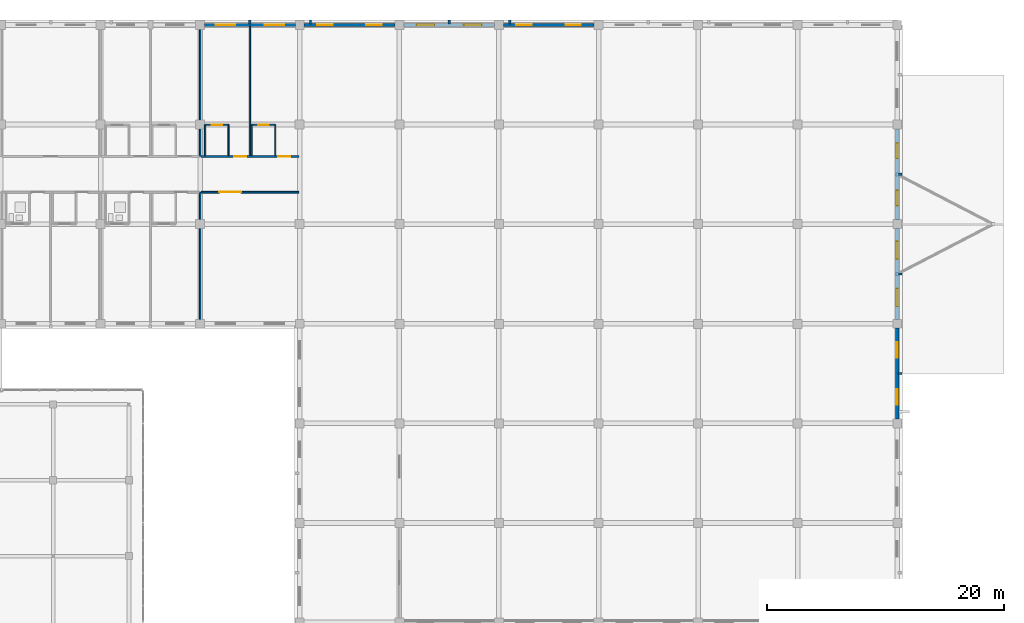
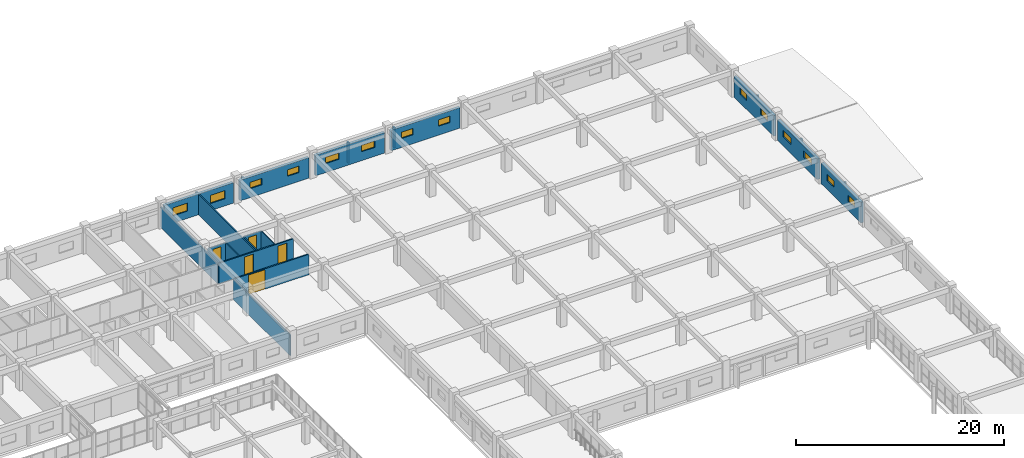
# One storey, part 184 of 200: 25 walls, 14 windows, 5 doors, 19 openings.
"""IFC4 building model written with IfcOpenShell, lengths in metres."""

from ifc_helpers import new_model, si_unit, direction, frame, frame_2d, origin, place, context, subcontext, project, spatial, rectangle, extrude, material, layer, layer_set, type_object, element, fill, save


model = new_model("IFC4")

# Units and contexts
model_context = context("Model", 3, precision=1e-05, world=origin(), true_north=direction((0.0, 1.0)))
body_context = subcontext(model_context, "Body", "Model", "MODEL_VIEW")
ifc_project = project(units=[si_unit("LENGTHUNIT", "METRE"), si_unit("AREAUNIT", "SQUARE_METRE"), si_unit("VOLUMEUNIT", "CUBIC_METRE"), si_unit("PLANEANGLEUNIT", "RADIAN"), si_unit("MASSUNIT", "GRAM", prefix="KILO")], contexts=[model_context])

# Site, building, storey
site_placement = place(None, origin())
site = spatial("IfcSite", under=ifc_project, at=site_placement, CompositionType="ELEMENT")
building_placement = place(site_placement, origin())
building = spatial("IfcBuilding", under=site, at=building_placement, Name="Trelvath General Hospital", CompositionType="ELEMENT")
storey_placement = place(building_placement, frame((0.0, 0.0, 4.800048828125)))
storey = spatial("IfcBuildingStorey", under=building, at=storey_placement, Name="L01", CompositionType="ELEMENT", Elevation=4.800048828125)

# Walls
ifc_material_1 = material(Name="Precast concrete C40/50", Category="concrete")
ifc_layer_1 = layer(ifc_material_1, 0.199951171875)
ifc_layer_set_1 = layer_set([ifc_layer_1], Name="Precast concrete C40/50")
wall_type_1 = type_object("IfcWallType", Name="BriseSoleilRib 200", PredefinedType="ELEMENTEDWALL", material=ifc_layer_set_1)
for number, where, z_axis, x_axis, name in (
    (1, (130.199951171875, 117.675048828125, 0.0), (0.0, 0.0, 1.0), (0.0, 1.0, 0.0), "Precast Concrete Brise-Soleil Rib Fin L01-129"),
    (2, (135.30615234375, 117.675048828125, 0.0), (0.0, 0.0, 1.0), (0.0, 1.0, 0.0), "Precast Concrete Brise-Soleil Rib Fin L01-132"),
    (3, (147.0, 117.675048828125, 0.0), (0.0, 0.0, 1.0), (0.0, 1.0, 0.0), "Precast Concrete Brise-Soleil Rib Fin L01-134"),
    (4, (152.106201171875, 117.675048828125, 0.0), (0.0, 0.0, 1.0), (0.0, 1.0, 0.0), "Precast Concrete Brise-Soleil Rib Fin L01-138"),
):
    element("IfcWall", number, at=place(storey_placement, frame(where, z_axis=z_axis, x_axis=x_axis)), inside=storey, type_object=wall_type_1, Name=name, PredefinedType="ELEMENTEDWALL", context=body_context, shape_type="SweptSolid", body=[
        extrude(rectangle(XDim=0.33984375, YDim=0.199951171875, at=frame_2d((0.169921875, 0.0))), origin(), (0.0, 0.0, 1.0), 2.39990234375),
    ])
for number, where, z_axis, x_axis, name in (
    (5, (184.875, 88.199951171875, 0.0), (0.0, 0.0, 1.0), (1.0, 0.0, 0.0), "Precast Concrete Brise-Soleil Rib Fin L01-154"),
    (6, (184.875, 96.60009765625, 0.0), (0.0, 0.0, 1.0), (1.0, 0.0, 0.0), "Precast Concrete Brise-Soleil Rib Fin L01-155"),
    (7, (184.875, 105.0, 0.0), (0.0, 0.0, 1.0), (1.0, 0.0, 0.0), "Precast Concrete Brise-Soleil Rib Fin L01-156"),
):
    element("IfcWall", number, at=place(storey_placement, frame(where, z_axis=z_axis, x_axis=x_axis)), inside=storey, type_object=wall_type_1, Name=name, PredefinedType="ELEMENTEDWALL", context=body_context, shape_type="SweptSolid", body=[
        extrude(rectangle(XDim=0.340087890625, YDim=0.199951171875, at=frame_2d((0.169921875, 0.0))), origin(), (0.0, 0.0, 1.0), 2.39990234375),
    ])

# Wall, opening, door
ifc_material_2 = material(Name="Gypsum acoustic steel-stud partition", Category="steel")
ifc_layer_2 = layer(ifc_material_2, 0.14990234375)
ifc_layer_set_2 = layer_set([ifc_layer_2], Name="Gypsum acoustic steel-stud partition")
wall_type_2 = type_object("IfcWallType", Name="ClinicalPartition 150", PredefinedType="PARTITIONING", material=ifc_layer_set_2)
wall_1_placement = place(storey_placement, frame((126.080078125, 103.5, 0.0), z_axis=(0.0, 0.0, 1.0), x_axis=(1.0, 0.0, 0.0)))
wall_1 = element("IfcWall", 8, at=wall_1_placement, inside=storey, type_object=wall_type_2, Name="Corridor Partition L01-653", PredefinedType="PARTITIONING", context=body_context, shape_type="SweptSolid", body=[
    extrude(rectangle(XDim=8.239990234375, YDim=0.14990234375, at=frame_2d((4.1201171875, 0.0))), origin(), (0.0, 0.0, 1.0), 2.39990234375),
])
opening_1_placement = place(wall_1_placement, frame((1.530029296875, 0.0, 0.0)))
opening_1 = element("IfcOpeningElement", 9, at=opening_1_placement, cuts=wall_1, Name="Opening D-1-0607", PredefinedType="OPENING", context=body_context, shape_type="SweptSolid", body=[
    extrude(rectangle(XDim=1.85009765625, YDim=2.300048828125, at=frame_2d((0.925048828125, 1.14990234375))), frame((0.0, 0.0849609375, 0.0), z_axis=(0.0, -1.0, 0.0), x_axis=(1.0, 0.0, 0.0)), (0.0, 0.0, 1.0), 0.169921875),
])
ifc_material_3 = material(Name="Fire-rated steel cross-corridor pair", Category="steel")
door_type_1 = type_object("IfcDoorType", Name="Door SmokeCross 1850x2300", OperationType="DOUBLE_SWING_LEFT", PredefinedType="DOOR", material=ifc_material_3)
door_1_placement = place(opening_1_placement, origin())
door_1 = element("IfcDoor", 10, at=door_1_placement, inside=storey, type_object=door_type_1, Name="Waiting Lounge Door L01-607", OperationType="DOUBLE_SWING_LEFT", OverallHeight=2.300048828125, OverallWidth=1.85009765625, PredefinedType="DOOR", context=body_context, shape_type="SweptSolid", body=[
    extrude(rectangle(XDim=1.85009765625, YDim=2.300048828125, at=frame_2d((0.925048828125, 1.14990234375))), frame((0.0, 0.02490234375, 0.0), z_axis=(0.0, -1.0, 0.0), x_axis=(1.0, 0.0, 0.0)), (0.0, 0.0, 1.0), 0.050048828125),
])
fill(opening_1, door_1)

# Wall, openings, doors
wall_2_placement = place(storey_placement, frame((134.320068359375, 106.5, 0.0), z_axis=(0.0, 0.0, 1.0), x_axis=(-1.0, 0.0, 0.0)))
wall_2 = element("IfcWall", 11, at=wall_2_placement, inside=storey, type_object=wall_type_2, Name="Corridor Partition N L01-654", PredefinedType="PARTITIONING", context=body_context, shape_type="SweptSolid", body=[
    extrude(rectangle(XDim=8.239990234375, YDim=0.14990234375, at=frame_2d((4.1201171875, 0.0))), origin(), (0.0, 0.0, 1.0), 2.39990234375),
])
opening_2_placement = place(wall_2_placement, frame((0.72998046875, 0.0, 0.0)))
opening_2 = element("IfcOpeningElement", 12, at=opening_2_placement, cuts=wall_2, Name="Opening D-1-0608", PredefinedType="OPENING", context=body_context, shape_type="SweptSolid", body=[
    extrude(rectangle(XDim=1.0, YDim=2.14990234375, at=frame_2d((0.5, 1.074951171875))), frame((0.0, 0.0849609375, 0.0), z_axis=(0.0, -1.0, 0.0), x_axis=(1.0, 0.0, 0.0)), (0.0, 0.0, 1.0), 0.169921875),
])
opening_3_placement = place(wall_2_placement, frame((4.429931640625, 0.0, 0.0)))
opening_3 = element("IfcOpeningElement", 13, at=opening_3_placement, cuts=wall_2, Name="Opening D-1-0609", PredefinedType="OPENING", context=body_context, shape_type="SweptSolid", body=[
    extrude(rectangle(XDim=1.0, YDim=2.14990234375, at=frame_2d((0.5, 1.074951171875))), frame((0.0, 0.0849609375, 0.0), z_axis=(0.0, -1.0, 0.0), x_axis=(1.0, 0.0, 0.0)), (0.0, 0.0, 1.0), 0.169921875),
])
ifc_material_4 = material(Name="Acoustic hospital timber leaf", Category="wood")
door_type_2 = type_object("IfcDoorType", Name="Door Consult 1000x2150", OperationType="NOTDEFINED", PredefinedType="DOOR", material=ifc_material_4)
door_2_placement = place(opening_2_placement, origin())
door_2 = element("IfcDoor", 14, at=door_2_placement, inside=storey, type_object=door_type_2, Name="Patient Room Door N L01-608", OperationType="SINGLE_SWING_RIGHT", OverallHeight=2.14990234375, OverallWidth=1.0, PredefinedType="DOOR", context=body_context, shape_type="SweptSolid", body=[
    extrude(rectangle(XDim=1.0, YDim=2.14990234375, at=frame_2d((0.5, 1.074951171875))), frame((0.0, 0.02490234375, 0.0), z_axis=(0.0, -1.0, 0.0), x_axis=(1.0, 0.0, 0.0)), (0.0, 0.0, 1.0), 0.050048828125),
])
fill(opening_2, door_2)
door_3_placement = place(opening_3_placement, origin())
door_3 = element("IfcDoor", 15, at=door_3_placement, inside=storey, type_object=door_type_2, Name="Patient Room Door N L01-609", OperationType="SINGLE_SWING_RIGHT", OverallHeight=2.14990234375, OverallWidth=1.0, PredefinedType="DOOR", context=body_context, shape_type="SweptSolid", body=[
    extrude(rectangle(XDim=1.0, YDim=2.14990234375, at=frame_2d((0.5, 1.074951171875))), frame((0.0, 0.02490234375, 0.0), z_axis=(0.0, -1.0, 0.0), x_axis=(1.0, 0.0, 0.0)), (0.0, 0.0, 1.0), 0.050048828125),
])
fill(opening_3, door_3)

# Walls
ifc_material_5 = material(Name="Moisture-resistant tile partition")
ifc_layer_3 = layer(ifc_material_5, 0.110107421875)
ifc_layer_set_3 = layer_set([ifc_layer_3], Name="Moisture-resistant tile partition")
wall_type_3 = type_object("IfcWallType", Name="EnSuiteWetWall 110", PredefinedType="PARTITIONING", material=ifc_layer_set_3)
for number, where, z_axis, x_axis, name in (
    (16, (126.419921875, 106.570068359375, 0.0), (0.0, 0.0, 1.0), (0.0, 1.0, 0.0), "En-Suite W Wall N L01-656"),
    (17, (128.39990234375, 106.570068359375, 0.0), (0.0, 0.0, 1.0), (0.0, 1.0, 0.0), "En-Suite E Wall N L01-657"),
):
    element("IfcWall", number, at=place(storey_placement, frame(where, z_axis=z_axis, x_axis=x_axis)), inside=storey, type_object=wall_type_3, Name=name, PredefinedType="PARTITIONING", context=body_context, shape_type="SweptSolid", body=[
        extrude(rectangle(XDim=2.60986328125, YDim=0.110107421875, at=frame_2d((1.304931640625, 0.0))), origin(), (0.0, 0.0, 1.0), 2.39990234375),
    ])

# Wall, opening, door
wall_3_placement = place(storey_placement, frame((126.419921875, 109.179931640625, 0.0), z_axis=(0.0, 0.0, 1.0), x_axis=(1.0, 0.0, 0.0)))
wall_3 = element("IfcWall", 18, at=wall_3_placement, inside=storey, type_object=wall_type_3, Name="En-Suite Bathroom N Partition L01-658", PredefinedType="PARTITIONING", context=body_context, shape_type="SweptSolid", body=[
    extrude(rectangle(XDim=1.97998046875, YDim=0.110107421875, at=frame_2d((0.989990234375, 0.0))), origin(), (0.0, 0.0, 1.0), 2.39990234375),
])
opening_4_placement = place(wall_3_placement, frame((0.5400390625, 0.0, 0.0)))
opening_4 = element("IfcOpeningElement", 19, at=opening_4_placement, cuts=wall_3, Name="Opening D-1-0610", PredefinedType="OPENING", context=body_context, shape_type="SweptSolid", body=[
    extrude(rectangle(XDim=0.89990234375, YDim=2.10009765625, at=frame_2d((0.449951171875, 1.050048828125))), frame((0.0, 0.06494140625, 0.0), z_axis=(0.0, -1.0, 0.0), x_axis=(1.0, 0.0, 0.0)), (0.0, 0.0, 1.0), 0.130126953125),
])
ifc_material_6 = material(Name="Moisture-sealed timber leaf", Category="wood")
door_type_3 = type_object("IfcDoorType", Name="Door EnSuite 900x2100", OperationType="NOTDEFINED", PredefinedType="DOOR", material=ifc_material_6)
door_4_placement = place(opening_4_placement, origin())
door_4 = element("IfcDoor", 20, at=door_4_placement, inside=storey, type_object=door_type_3, Name="En-Suite Bathroom N Door L01-610", OperationType="SINGLE_SWING_LEFT", OverallHeight=2.10009765625, OverallWidth=0.89990234375, PredefinedType="DOOR", context=body_context, shape_type="SweptSolid", body=[
    extrude(rectangle(XDim=0.89990234375, YDim=2.10009765625, at=frame_2d((0.449951171875, 1.050048828125))), frame((0.0, 0.02490234375, 0.0), z_axis=(0.0, -1.0, 0.0), x_axis=(1.0, 0.0, 0.0)), (0.0, 0.0, 1.0), 0.050048828125),
])
fill(opening_4, door_4)

# Walls
for number, where, z_axis, x_axis, name in (
    (21, (130.360107421875, 106.570068359375, 0.0), (0.0, 0.0, 1.0), (0.0, 1.0, 0.0), "En-Suite W Wall N L01-659"),
    (22, (132.340087890625, 106.570068359375, 0.0), (0.0, 0.0, 1.0), (0.0, 1.0, 0.0), "En-Suite E Wall N L01-660"),
):
    element("IfcWall", number, at=place(storey_placement, frame(where, z_axis=z_axis, x_axis=x_axis)), inside=storey, type_object=wall_type_3, Name=name, PredefinedType="PARTITIONING", context=body_context, shape_type="SweptSolid", body=[
        extrude(rectangle(XDim=2.60986328125, YDim=0.110107421875, at=frame_2d((1.304931640625, 0.0))), origin(), (0.0, 0.0, 1.0), 2.39990234375),
    ])

# Wall, opening, door
wall_4_placement = place(storey_placement, frame((130.360107421875, 109.179931640625, 0.0), z_axis=(0.0, 0.0, 1.0), x_axis=(1.0, 0.0, 0.0)))
wall_4 = element("IfcWall", 23, at=wall_4_placement, inside=storey, type_object=wall_type_3, Name="En-Suite Bathroom N Partition L01-661", PredefinedType="PARTITIONING", context=body_context, shape_type="SweptSolid", body=[
    extrude(rectangle(XDim=1.97998046875, YDim=0.110107421875, at=frame_2d((0.989990234375, 0.0))), origin(), (0.0, 0.0, 1.0), 2.39990234375),
])
opening_5_placement = place(wall_4_placement, frame((0.5400390625, 0.0, 0.0)))
opening_5 = element("IfcOpeningElement", 24, at=opening_5_placement, cuts=wall_4, Name="Opening D-1-0611", PredefinedType="OPENING", context=body_context, shape_type="SweptSolid", body=[
    extrude(rectangle(XDim=0.89990234375, YDim=2.10009765625, at=frame_2d((0.449951171875, 1.050048828125))), frame((0.0, 0.06494140625, 0.0), z_axis=(0.0, -1.0, 0.0), x_axis=(1.0, 0.0, 0.0)), (0.0, 0.0, 1.0), 0.130126953125),
])
door_5_placement = place(opening_5_placement, origin())
door_5 = element("IfcDoor", 25, at=door_5_placement, inside=storey, type_object=door_type_3, Name="En-Suite Bathroom N Door L01-611", OperationType="SINGLE_SWING_RIGHT", OverallHeight=2.10009765625, OverallWidth=0.89990234375, PredefinedType="DOOR", context=body_context, shape_type="SweptSolid", body=[
    extrude(rectangle(XDim=0.89990234375, YDim=2.10009765625, at=frame_2d((0.449951171875, 1.050048828125))), frame((0.0, 0.02490234375, 0.0), z_axis=(0.0, -1.0, 0.0), x_axis=(1.0, 0.0, 0.0)), (0.0, 0.0, 1.0), 0.050048828125),
])
fill(opening_5, door_5)

# Wall, openings, windows
ifc_material_7 = material(Name="Concrete C35/45", Category="concrete")
ifc_layer_4 = layer(ifc_material_7, 0.2900390625)
ifc_layer_set_4 = layer_set([ifc_layer_4], Name="Concrete C35/45")
wall_type_4 = type_object("IfcWallType", Name="ExtBushHammeredWall 290", PredefinedType="SOLIDWALL", material=ifc_layer_set_4)
wall_5_placement = place(storey_placement, frame((126.3701171875, 117.60009765625, 0.0), z_axis=(0.0, 0.0, 1.0), x_axis=(1.0, 0.0, 0.0)))
wall_5 = element("IfcWall", 26, at=wall_5_placement, inside=storey, type_object=wall_type_4, Name="Exterior Concrete Wall L01-189", PredefinedType="SOLIDWALL", context=body_context, shape_type="SweptSolid", body=[
    extrude(rectangle(XDim=7.659912109375, YDim=0.2900390625, at=frame_2d((3.830078125, 0.0))), origin(), (0.0, 0.0, 1.0), 2.419921875),
])
opening_6_placement = place(wall_5_placement, frame((0.951904296875, 0.0, 0.85009765625)))
opening_6 = element("IfcOpeningElement", 27, at=opening_6_placement, cuts=wall_5, Name="Opening WN-1-279", PredefinedType="OPENING", context=body_context, shape_type="SweptSolid", body=[
    extrude(rectangle(XDim=1.6201171875, YDim=0.949951171875, at=frame_2d((0.81005859375, 0.47509765625))), frame((0.0, 0.155029296875, 0.0), z_axis=(0.0, -1.0, 0.0), x_axis=(1.0, 0.0, 0.0)), (0.0, 0.0, 1.0), 0.31005859375),
])
opening_7_placement = place(wall_5_placement, frame((5.088134765625, 0.0, 0.85009765625)))
opening_7 = element("IfcOpeningElement", 28, at=opening_7_placement, cuts=wall_5, Name="Opening WN-1-280", PredefinedType="OPENING", context=body_context, shape_type="SweptSolid", body=[
    extrude(rectangle(XDim=1.6201171875, YDim=0.949951171875, at=frame_2d((0.81005859375, 0.47509765625))), frame((0.0, 0.155029296875, 0.0), z_axis=(0.0, -1.0, 0.0), x_axis=(1.0, 0.0, 0.0)), (0.0, 0.0, 1.0), 0.31005859375),
])
ifc_material_8 = material(Name="Low-E laminated glass", Category="glass")
window_type_1 = type_object("IfcWindowType", Name="Window EmergencyClere 1620x950", PartitioningType="DOUBLE_PANEL_VERTICAL", PredefinedType="WINDOW", material=ifc_material_8)
window_1_placement = place(opening_6_placement, origin())
window_1 = element("IfcWindow", 29, at=window_1_placement, inside=storey, type_object=window_type_1, Name="Solar Reveal Window L01-279", OverallHeight=0.949951171875, OverallWidth=1.6201171875, PartitioningType="SINGLE_PANEL", PredefinedType="WINDOW", context=body_context, shape_type="SweptSolid", body=[
    extrude(rectangle(XDim=1.6201171875, YDim=0.949951171875, at=frame_2d((0.81005859375, 0.47509765625))), frame((0.0, 0.030029296875, 0.0), z_axis=(0.0, -1.0, 0.0), x_axis=(1.0, 0.0, 0.0)), (0.0, 0.0, 1.0), 0.06005859375),
])
fill(opening_6, window_1)
window_2_placement = place(opening_7_placement, origin())
window_2 = element("IfcWindow", 30, at=window_2_placement, inside=storey, type_object=window_type_1, Name="Solar Reveal Window L01-280", OverallHeight=0.949951171875, OverallWidth=1.6201171875, PartitioningType="SINGLE_PANEL", PredefinedType="WINDOW", context=body_context, shape_type="SweptSolid", body=[
    extrude(rectangle(XDim=1.6201171875, YDim=0.949951171875, at=frame_2d((0.81005859375, 0.47509765625))), frame((0.0, 0.030029296875, 0.0), z_axis=(0.0, -1.0, 0.0), x_axis=(1.0, 0.0, 0.0)), (0.0, 0.0, 1.0), 0.06005859375),
])
fill(opening_7, window_2)

wall_6_placement = place(storey_placement, frame((134.77001953125, 117.60009765625, 0.0), z_axis=(0.0, 0.0, 1.0), x_axis=(1.0, 0.0, 0.0)))
wall_6 = element("IfcWall", 31, at=wall_6_placement, inside=storey, type_object=wall_type_4, Name="Exterior Concrete Wall L01-194", PredefinedType="SOLIDWALL", context=body_context, shape_type="SweptSolid", body=[
    extrude(rectangle(XDim=7.659912109375, YDim=0.2900390625, at=frame_2d((3.830078125, 0.0))), origin(), (0.0, 0.0, 1.0), 2.419921875),
])
opening_8_placement = place(wall_6_placement, frame((1.11181640625, 0.0, 1.050048828125)))
opening_8 = element("IfcOpeningElement", 32, at=opening_8_placement, cuts=wall_6, Name="Opening WN-1-289", PredefinedType="OPENING", context=body_context, shape_type="SweptSolid", body=[
    extrude(rectangle(XDim=1.300048828125, YDim=0.75, at=frame_2d((0.64990234375, 0.375))), frame((0.0, 0.155029296875, 0.0), z_axis=(0.0, -1.0, 0.0), x_axis=(1.0, 0.0, 0.0)), (0.0, 0.0, 1.0), 0.31005859375),
])
opening_9_placement = place(wall_6_placement, frame((5.248291015625, 0.0, 1.050048828125)))
opening_9 = element("IfcOpeningElement", 33, at=opening_9_placement, cuts=wall_6, Name="Opening WN-1-290", PredefinedType="OPENING", context=body_context, shape_type="SweptSolid", body=[
    extrude(rectangle(XDim=1.300048828125, YDim=0.75, at=frame_2d((0.64990234375, 0.375))), frame((0.0, 0.155029296875, 0.0), z_axis=(0.0, -1.0, 0.0), x_axis=(1.0, 0.0, 0.0)), (0.0, 0.0, 1.0), 0.31005859375),
])
ifc_material_9 = material(Name="Low-E laminated glass", Category="glass")
window_type_2 = type_object("IfcWindowType", Name="Window InterstitialVent 1300x750", PartitioningType="DOUBLE_PANEL_HORIZONTAL", PredefinedType="WINDOW", material=ifc_material_9)
window_3_placement = place(opening_8_placement, origin())
window_3 = element("IfcWindow", 34, at=window_3_placement, inside=storey, type_object=window_type_2, Name="Solar Reveal Window L01-289", OverallHeight=0.75, OverallWidth=1.300048828125, PartitioningType="SINGLE_PANEL", PredefinedType="WINDOW", context=body_context, shape_type="SweptSolid", body=[
    extrude(rectangle(XDim=1.300048828125, YDim=0.75, at=frame_2d((0.64990234375, 0.375))), frame((0.0, 0.030029296875, 0.0), z_axis=(0.0, -1.0, 0.0), x_axis=(1.0, 0.0, 0.0)), (0.0, 0.0, 1.0), 0.06005859375),
])
fill(opening_8, window_3)
window_4_placement = place(opening_9_placement, origin())
window_4 = element("IfcWindow", 35, at=window_4_placement, inside=storey, type_object=window_type_2, Name="Solar Reveal Window L01-290", OverallHeight=0.75, OverallWidth=1.300048828125, PartitioningType="SINGLE_PANEL", PredefinedType="WINDOW", context=body_context, shape_type="SweptSolid", body=[
    extrude(rectangle(XDim=1.300048828125, YDim=0.75, at=frame_2d((0.64990234375, 0.375))), frame((0.0, 0.030029296875, 0.0), z_axis=(0.0, -1.0, 0.0), x_axis=(1.0, 0.0, 0.0)), (0.0, 0.0, 1.0), 0.06005859375),
])
fill(opening_9, window_4)

wall_7_placement = place(storey_placement, frame((143.169921875, 117.60009765625, 0.0), z_axis=(0.0, 0.0, 1.0), x_axis=(1.0, 0.0, 0.0)))
wall_7 = element("IfcWall", 36, at=wall_7_placement, inside=storey, type_object=wall_type_4, Name="Exterior Concrete Wall L01-198", PredefinedType="SOLIDWALL", context=body_context, shape_type="SweptSolid", body=[
    extrude(rectangle(XDim=7.66015625, YDim=0.2900390625, at=frame_2d((3.830078125, 0.0))), origin(), (0.0, 0.0, 1.0), 2.419921875),
])
opening_10_placement = place(wall_7_placement, frame((1.08837890625, 0.0, 1.050048828125)))
opening_10 = element("IfcOpeningElement", 37, at=opening_10_placement, cuts=wall_7, Name="Opening WN-1-297", PredefinedType="OPENING", context=body_context, shape_type="SweptSolid", body=[
    extrude(rectangle(XDim=1.5, YDim=0.75, at=frame_2d((0.75, 0.375))), frame((0.0, 0.155029296875, 0.0), z_axis=(0.0, -1.0, 0.0), x_axis=(1.0, 0.0, 0.0)), (0.0, 0.0, 1.0), 0.31005859375),
])
opening_11_placement = place(wall_7_placement, frame((5.071533203125, 0.0, 1.050048828125)))
opening_11 = element("IfcOpeningElement", 38, at=opening_11_placement, cuts=wall_7, Name="Opening WN-1-298", PredefinedType="OPENING", context=body_context, shape_type="SweptSolid", body=[
    extrude(rectangle(XDim=1.5, YDim=0.75, at=frame_2d((0.75, 0.375))), frame((0.0, 0.155029296875, 0.0), z_axis=(0.0, -1.0, 0.0), x_axis=(1.0, 0.0, 0.0)), (0.0, 0.0, 1.0), 0.31005859375),
])
ifc_material_10 = material(Name="Low-E laminated glass", Category="glass")
window_type_3 = type_object("IfcWindowType", Name="Window InterstitialVent 1500x750", PartitioningType="DOUBLE_PANEL_HORIZONTAL", PredefinedType="WINDOW", material=ifc_material_10)
window_5_placement = place(opening_10_placement, origin())
window_5 = element("IfcWindow", 39, at=window_5_placement, inside=storey, type_object=window_type_3, Name="Solar Reveal Window L01-297", OverallHeight=0.75, OverallWidth=1.5, PartitioningType="SINGLE_PANEL", PredefinedType="WINDOW", context=body_context, shape_type="SweptSolid", body=[
    extrude(rectangle(XDim=1.5, YDim=0.75, at=frame_2d((0.75, 0.375))), frame((0.0, 0.030029296875, 0.0), z_axis=(0.0, -1.0, 0.0), x_axis=(1.0, 0.0, 0.0)), (0.0, 0.0, 1.0), 0.06005859375),
])
fill(opening_10, window_5)
window_6_placement = place(opening_11_placement, origin())
window_6 = element("IfcWindow", 40, at=window_6_placement, inside=storey, type_object=window_type_3, Name="Solar Reveal Window L01-298", OverallHeight=0.75, OverallWidth=1.5, PartitioningType="SINGLE_PANEL", PredefinedType="WINDOW", context=body_context, shape_type="SweptSolid", body=[
    extrude(rectangle(XDim=1.5, YDim=0.75, at=frame_2d((0.75, 0.375))), frame((0.0, 0.030029296875, 0.0), z_axis=(0.0, -1.0, 0.0), x_axis=(1.0, 0.0, 0.0)), (0.0, 0.0, 1.0), 0.06005859375),
])
fill(opening_11, window_6)

wall_8_placement = place(storey_placement, frame((151.570068359375, 117.60009765625, 0.0), z_axis=(0.0, 0.0, 1.0), x_axis=(1.0, 0.0, 0.0)))
wall_8 = element("IfcWall", 41, at=wall_8_placement, inside=storey, type_object=wall_type_4, Name="Exterior Concrete Wall L01-202", PredefinedType="SOLIDWALL", context=body_context, shape_type="SweptSolid", body=[
    extrude(rectangle(XDim=7.659912109375, YDim=0.2900390625, at=frame_2d((3.830078125, 0.0))), origin(), (0.0, 0.0, 1.0), 2.419921875),
])
opening_12_placement = place(wall_8_placement, frame((1.11181640625, 0.0, 1.050048828125)))
opening_12 = element("IfcOpeningElement", 42, at=opening_12_placement, cuts=wall_8, Name="Opening WN-1-305", PredefinedType="OPENING", context=body_context, shape_type="SweptSolid", body=[
    extrude(rectangle(XDim=1.300048828125, YDim=0.75, at=frame_2d((0.64990234375, 0.375))), frame((0.0, 0.155029296875, 0.0), z_axis=(0.0, -1.0, 0.0), x_axis=(1.0, 0.0, 0.0)), (0.0, 0.0, 1.0), 0.31005859375),
])
opening_13_placement = place(wall_8_placement, frame((5.248291015625, 0.0, 1.050048828125)))
opening_13 = element("IfcOpeningElement", 43, at=opening_13_placement, cuts=wall_8, Name="Opening WN-1-306", PredefinedType="OPENING", context=body_context, shape_type="SweptSolid", body=[
    extrude(rectangle(XDim=1.300048828125, YDim=0.75, at=frame_2d((0.64990234375, 0.375))), frame((0.0, 0.155029296875, 0.0), z_axis=(0.0, -1.0, 0.0), x_axis=(1.0, 0.0, 0.0)), (0.0, 0.0, 1.0), 0.31005859375),
])
window_7_placement = place(opening_12_placement, origin())
window_7 = element("IfcWindow", 44, at=window_7_placement, inside=storey, type_object=window_type_2, Name="Solar Reveal Window L01-305", OverallHeight=0.75, OverallWidth=1.300048828125, PartitioningType="SINGLE_PANEL", PredefinedType="WINDOW", context=body_context, shape_type="SweptSolid", body=[
    extrude(rectangle(XDim=1.300048828125, YDim=0.75, at=frame_2d((0.64990234375, 0.375))), frame((0.0, 0.030029296875, 0.0), z_axis=(0.0, -1.0, 0.0), x_axis=(1.0, 0.0, 0.0)), (0.0, 0.0, 1.0), 0.06005859375),
])
fill(opening_12, window_7)
window_8_placement = place(opening_13_placement, origin())
window_8 = element("IfcWindow", 45, at=window_8_placement, inside=storey, type_object=window_type_2, Name="Solar Reveal Window L01-306", OverallHeight=0.75, OverallWidth=1.300048828125, PartitioningType="SINGLE_PANEL", PredefinedType="WINDOW", context=body_context, shape_type="SweptSolid", body=[
    extrude(rectangle(XDim=1.300048828125, YDim=0.75, at=frame_2d((0.64990234375, 0.375))), frame((0.0, 0.030029296875, 0.0), z_axis=(0.0, -1.0, 0.0), x_axis=(1.0, 0.0, 0.0)), (0.0, 0.0, 1.0), 0.06005859375),
])
fill(opening_13, window_8)

wall_9_placement = place(storey_placement, frame((184.800048828125, 92.030029296875, 0.0), z_axis=(0.0, 0.0, 1.0), x_axis=(0.0, -1.0, 0.0)))
wall_9 = element("IfcWall", 46, at=wall_9_placement, inside=storey, type_object=wall_type_4, Name="Exterior Concrete Wall L01-215", PredefinedType="SOLIDWALL", context=body_context, shape_type="SweptSolid", body=[
    extrude(rectangle(XDim=7.659912109375, YDim=0.2900390625, at=frame_2d((3.830078125, 0.0))), origin(), (0.0, 0.0, 1.0), 2.419921875),
])
opening_14_placement = place(wall_9_placement, frame((1.1884765625, 0.0, 1.050048828125)))
opening_14 = element("IfcOpeningElement", 47, at=opening_14_placement, cuts=wall_9, Name="Opening WN-1-331", PredefinedType="OPENING", context=body_context, shape_type="SweptSolid", body=[
    extrude(rectangle(XDim=1.300048828125, YDim=0.75, at=frame_2d((0.64990234375, 0.375))), frame((0.0, 0.155029296875, 0.0), z_axis=(0.0, -1.0, 0.0), x_axis=(1.0, 0.0, 0.0)), (0.0, 0.0, 1.0), 0.31005859375),
])
opening_15_placement = place(wall_9_placement, frame((5.171630859375, 0.0, 1.050048828125)))
opening_15 = element("IfcOpeningElement", 48, at=opening_15_placement, cuts=wall_9, Name="Opening WN-1-332", PredefinedType="OPENING", context=body_context, shape_type="SweptSolid", body=[
    extrude(rectangle(XDim=1.300048828125, YDim=0.75, at=frame_2d((0.64990234375, 0.375))), frame((0.0, 0.155029296875, 0.0), z_axis=(0.0, -1.0, 0.0), x_axis=(1.0, 0.0, 0.0)), (0.0, 0.0, 1.0), 0.31005859375),
])
window_9_placement = place(opening_14_placement, origin())
window_9 = element("IfcWindow", 49, at=window_9_placement, inside=storey, type_object=window_type_2, Name="Solar Reveal Window L01-331", OverallHeight=0.75, OverallWidth=1.300048828125, PartitioningType="SINGLE_PANEL", PredefinedType="WINDOW", context=body_context, shape_type="SweptSolid", body=[
    extrude(rectangle(XDim=1.300048828125, YDim=0.75, at=frame_2d((0.64990234375, 0.375))), frame((0.0, 0.030029296875, 0.0), z_axis=(0.0, -1.0, 0.0), x_axis=(1.0, 0.0, 0.0)), (0.0, 0.0, 1.0), 0.06005859375),
])
fill(opening_14, window_9)
window_10_placement = place(opening_15_placement, origin())
window_10 = element("IfcWindow", 50, at=window_10_placement, inside=storey, type_object=window_type_2, Name="Solar Reveal Window L01-332", OverallHeight=0.75, OverallWidth=1.300048828125, PartitioningType="SINGLE_PANEL", PredefinedType="WINDOW", context=body_context, shape_type="SweptSolid", body=[
    extrude(rectangle(XDim=1.300048828125, YDim=0.75, at=frame_2d((0.64990234375, 0.375))), frame((0.0, 0.030029296875, 0.0), z_axis=(0.0, -1.0, 0.0), x_axis=(1.0, 0.0, 0.0)), (0.0, 0.0, 1.0), 0.06005859375),
])
fill(opening_15, window_10)

wall_10_placement = place(storey_placement, frame((184.800048828125, 100.429931640625, 0.0), z_axis=(0.0, 0.0, 1.0), x_axis=(0.0, -1.0, 0.0)))
wall_10 = element("IfcWall", 51, at=wall_10_placement, inside=storey, type_object=wall_type_4, Name="Exterior Concrete Wall L01-216", PredefinedType="SOLIDWALL", context=body_context, shape_type="SweptSolid", body=[
    extrude(rectangle(XDim=7.659912109375, YDim=0.2900390625, at=frame_2d((3.830078125, 0.0))), origin(), (0.0, 0.0, 1.0), 2.419921875),
])
opening_16_placement = place(wall_10_placement, frame((1.08837890625, 0.0, 1.050048828125)))
opening_16 = element("IfcOpeningElement", 52, at=opening_16_placement, cuts=wall_10, Name="Opening WN-1-333", PredefinedType="OPENING", context=body_context, shape_type="SweptSolid", body=[
    extrude(rectangle(XDim=1.5, YDim=0.75, at=frame_2d((0.75, 0.375))), frame((0.0, 0.155029296875, 0.0), z_axis=(0.0, -1.0, 0.0), x_axis=(1.0, 0.0, 0.0)), (0.0, 0.0, 1.0), 0.31005859375),
])
opening_17_placement = place(wall_10_placement, frame((5.071533203125, 0.0, 1.050048828125)))
opening_17 = element("IfcOpeningElement", 53, at=opening_17_placement, cuts=wall_10, Name="Opening WN-1-334", PredefinedType="OPENING", context=body_context, shape_type="SweptSolid", body=[
    extrude(rectangle(XDim=1.5, YDim=0.75, at=frame_2d((0.75, 0.375))), frame((0.0, 0.155029296875, 0.0), z_axis=(0.0, -1.0, 0.0), x_axis=(1.0, 0.0, 0.0)), (0.0, 0.0, 1.0), 0.31005859375),
])
window_11_placement = place(opening_16_placement, origin())
window_11 = element("IfcWindow", 54, at=window_11_placement, inside=storey, type_object=window_type_3, Name="Solar Reveal Window L01-333", OverallHeight=0.75, OverallWidth=1.5, PartitioningType="SINGLE_PANEL", PredefinedType="WINDOW", context=body_context, shape_type="SweptSolid", body=[
    extrude(rectangle(XDim=1.5, YDim=0.75, at=frame_2d((0.75, 0.375))), frame((0.0, 0.030029296875, 0.0), z_axis=(0.0, -1.0, 0.0), x_axis=(1.0, 0.0, 0.0)), (0.0, 0.0, 1.0), 0.06005859375),
])
fill(opening_16, window_11)
window_12_placement = place(opening_17_placement, origin())
window_12 = element("IfcWindow", 55, at=window_12_placement, inside=storey, type_object=window_type_3, Name="Solar Reveal Window L01-334", OverallHeight=0.75, OverallWidth=1.5, PartitioningType="SINGLE_PANEL", PredefinedType="WINDOW", context=body_context, shape_type="SweptSolid", body=[
    extrude(rectangle(XDim=1.5, YDim=0.75, at=frame_2d((0.75, 0.375))), frame((0.0, 0.030029296875, 0.0), z_axis=(0.0, -1.0, 0.0), x_axis=(1.0, 0.0, 0.0)), (0.0, 0.0, 1.0), 0.06005859375),
])
fill(opening_17, window_12)

wall_11_placement = place(storey_placement, frame((184.800048828125, 108.830078125, 0.0), z_axis=(0.0, 0.0, 1.0), x_axis=(0.0, -1.0, 0.0)))
wall_11 = element("IfcWall", 56, at=wall_11_placement, inside=storey, type_object=wall_type_4, Name="Exterior Concrete Wall L01-217", PredefinedType="SOLIDWALL", context=body_context, shape_type="SweptSolid", body=[
    extrude(rectangle(XDim=7.66015625, YDim=0.2900390625, at=frame_2d((3.830078125, 0.0))), origin(), (0.0, 0.0, 1.0), 2.419921875),
])
opening_18_placement = place(wall_11_placement, frame((1.1884765625, 0.0, 1.050048828125)))
opening_18 = element("IfcOpeningElement", 57, at=opening_18_placement, cuts=wall_11, Name="Opening WN-1-335", PredefinedType="OPENING", context=body_context, shape_type="SweptSolid", body=[
    extrude(rectangle(XDim=1.300048828125, YDim=0.75, at=frame_2d((0.64990234375, 0.375))), frame((0.0, 0.155029296875, 0.0), z_axis=(0.0, -1.0, 0.0), x_axis=(1.0, 0.0, 0.0)), (0.0, 0.0, 1.0), 0.31005859375),
])
opening_19_placement = place(wall_11_placement, frame((5.171630859375, 0.0, 1.050048828125)))
opening_19 = element("IfcOpeningElement", 58, at=opening_19_placement, cuts=wall_11, Name="Opening WN-1-336", PredefinedType="OPENING", context=body_context, shape_type="SweptSolid", body=[
    extrude(rectangle(XDim=1.300048828125, YDim=0.75, at=frame_2d((0.64990234375, 0.375))), frame((0.0, 0.155029296875, 0.0), z_axis=(0.0, -1.0, 0.0), x_axis=(1.0, 0.0, 0.0)), (0.0, 0.0, 1.0), 0.31005859375),
])
window_13_placement = place(opening_18_placement, origin())
window_13 = element("IfcWindow", 59, at=window_13_placement, inside=storey, type_object=window_type_2, Name="Solar Reveal Window L01-335", OverallHeight=0.75, OverallWidth=1.300048828125, PartitioningType="SINGLE_PANEL", PredefinedType="WINDOW", context=body_context, shape_type="SweptSolid", body=[
    extrude(rectangle(XDim=1.300048828125, YDim=0.75, at=frame_2d((0.64990234375, 0.375))), frame((0.0, 0.030029296875, 0.0), z_axis=(0.0, -1.0, 0.0), x_axis=(1.0, 0.0, 0.0)), (0.0, 0.0, 1.0), 0.06005859375),
])
fill(opening_18, window_13)
window_14_placement = place(opening_19_placement, origin())
window_14 = element("IfcWindow", 60, at=window_14_placement, inside=storey, type_object=window_type_2, Name="Solar Reveal Window L01-336", OverallHeight=0.75, OverallWidth=1.300048828125, PartitioningType="SINGLE_PANEL", PredefinedType="WINDOW", context=body_context, shape_type="SweptSolid", body=[
    extrude(rectangle(XDim=1.300048828125, YDim=0.75, at=frame_2d((0.64990234375, 0.375))), frame((0.0, 0.030029296875, 0.0), z_axis=(0.0, -1.0, 0.0), x_axis=(1.0, 0.0, 0.0)), (0.0, 0.0, 1.0), 0.06005859375),
])
fill(opening_19, window_14)

# Walls
ifc_material_11 = material(Name="Gypsum acoustic steel-stud partition", Category="steel")
ifc_layer_5 = layer(ifc_material_11, 0.1298828125)
ifc_layer_set_5 = layer_set([ifc_layer_5], Name="Gypsum acoustic steel-stud partition")
wall_type_5 = type_object("IfcWallType", Name="WardPartition 130", PredefinedType="PARTITIONING", material=ifc_layer_set_5)
for number, where, z_axis, x_axis, name in (
    (61, (126.0, 92.5400390625, 0.0), (0.0, 0.0, 1.0), (0.0, 1.0, 0.0), "Inter-Bay Ward Partition S L01-651"),
    (62, (126.0, 106.52001953125, 0.0), (0.0, 0.0, 1.0), (0.0, 1.0, 0.0), "Inter-Bay Ward Partition N L01-652"),
):
    element("IfcWall", number, at=place(storey_placement, frame(where, z_axis=z_axis, x_axis=x_axis)), inside=storey, type_object=wall_type_5, Name=name, PredefinedType="PARTITIONING", context=body_context, shape_type="SweptSolid", body=[
        extrude(rectangle(XDim=10.93994140625, YDim=0.1298828125, at=frame_2d((5.469970703125, 0.0))), origin(), (0.0, 0.0, 1.0), 2.39990234375),
    ])
wall_12_placement = place(storey_placement, frame((130.199951171875, 106.570068359375, 0.0), z_axis=(0.0, 0.0, 1.0), x_axis=(0.0, 1.0, 0.0)))
element("IfcWall", 63, at=wall_12_placement, inside=storey, type_object=wall_type_5, Name="Room Dividing Partition N L01-655", PredefinedType="PARTITIONING", context=body_context, shape_type="SweptSolid", body=[
    extrude(rectangle(XDim=10.929931640625, YDim=0.1298828125, at=frame_2d((5.46484375, 0.0))), origin(), (0.0, 0.0, 1.0), 2.39990234375),
])

save(model, "model.ifc")
